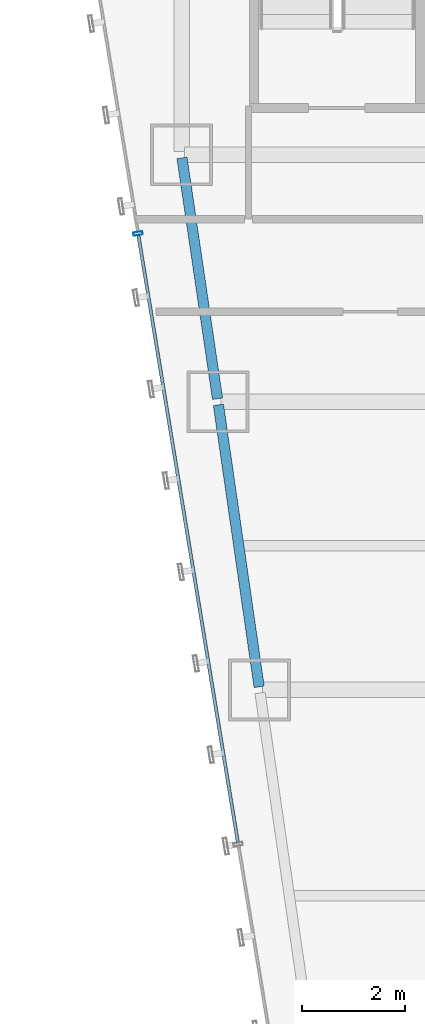
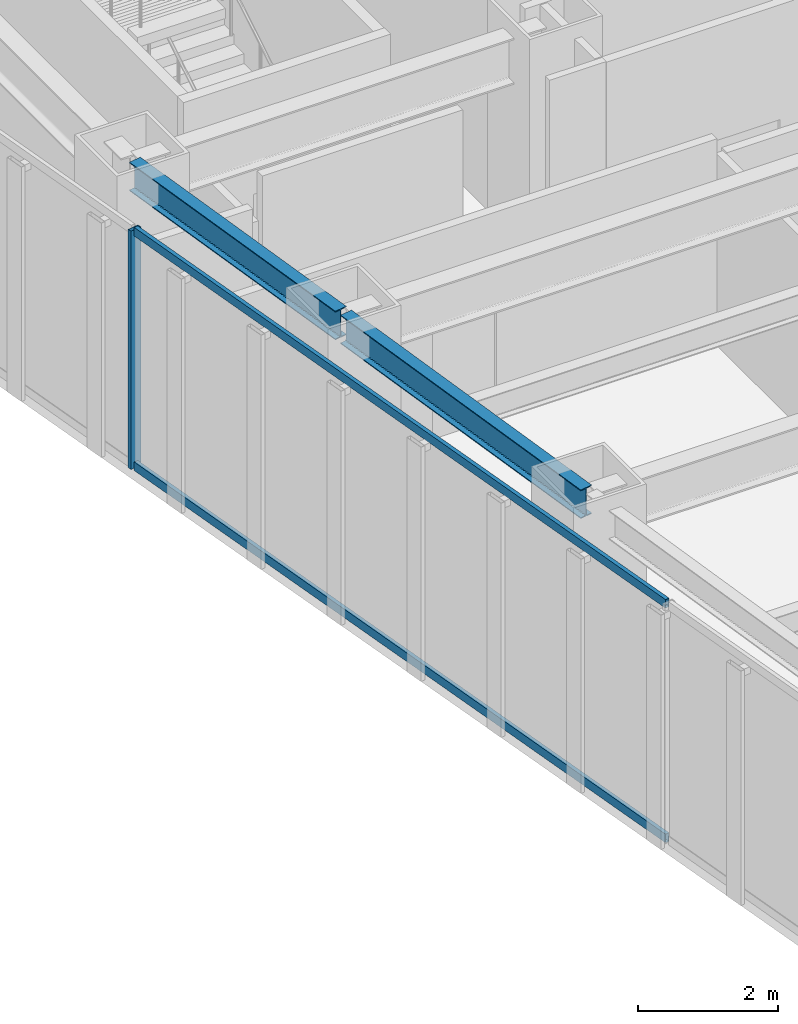
# One storey, part 22 of 47: 3 members, 2 beams, 1 element without a shape of its own.
"""IFC4 building model written with IfcOpenShell, lengths in metres."""

from ifc_helpers import new_model, si_unit, direction, frame, origin, origin_2d, place, context, subcontext, project, spatial, hollow_rectangle, i_section, extrude, material, material_profile, profile_set, type_object, element, aggregate, save


model = new_model("IFC4")

# Units and contexts
model_context = context("Model", 3, precision=1e-05, world=origin(), true_north=direction((0.0, 1.0)))
body_context = subcontext(model_context, "Body", "Model", "MODEL_VIEW")
ifc_project = project(units=[si_unit("LENGTHUNIT", "METRE"), si_unit("AREAUNIT", "SQUARE_METRE"), si_unit("VOLUMEUNIT", "CUBIC_METRE"), si_unit("PLANEANGLEUNIT", "RADIAN"), si_unit("MASSUNIT", "GRAM", prefix="KILO")], contexts=[model_context])

# Site, building, storey
site_placement = place(None, origin())
site = spatial("IfcSite", under=ifc_project, at=site_placement, CompositionType="ELEMENT")
building_placement = place(site_placement, origin())
building = spatial("IfcBuilding", under=site, at=building_placement, Name="Saevonmaru Cultural Tower", CompositionType="ELEMENT")
storey_placement = place(building_placement, frame((0.0, 0.0, 60.39990234375)))
storey = spatial("IfcBuildingStorey", under=building, at=storey_placement, Name="L12", CompositionType="ELEMENT", Elevation=60.39990234375)

# Beams
ifc_material_1 = material(Name="Steel SM355", Category="steel")
ifc_material_profile_1 = material_profile(ifc_material_1, i_section(OverallWidth=0.199951171875, OverallDepth=0.5, WebThickness=0.010009765625, FlangeThickness=0.01611328125, FilletRadius=0.02001953125, at=origin_2d()), Name="H-500x200x10x16")
ifc_profile_set_1 = profile_set([ifc_material_profile_1], Name="Steel SM355")
beam_type = type_object("IfcBeamType", Name="BM-SP-H500", PredefinedType="SPANDREL", material=ifc_profile_set_1)
beam_1_placement = place(storey_placement, frame((8.308349609375, 32.059326171875, 3.900146484375), z_axis=(-0.142964121327, 0.989727871697, 0.0), x_axis=(-0.989727871697, -0.142964121327, 0.0)))
element("IfcBeam", 1, at=beam_1_placement, inside=storey, type_object=beam_type, Name="L12 West Splayed Spandrel 5", PredefinedType="SPANDREL", context=body_context, shape_type="SweptSolid", body=[
    extrude(i_section(OverallWidth=0.199951171875, OverallDepth=0.5, WebThickness=0.010009765625, FlangeThickness=0.01611328125, FilletRadius=0.02001953125, at=origin_2d()), origin(), (0.0, 0.0, 1.0), 5.5380859375),
])
beam_2_placement = place(storey_placement, frame((7.499267578125, 37.659423828125, 3.900146484375), z_axis=(-0.145912860028, 0.989297446312, 0.0), x_axis=(-0.989297446312, -0.145912860028, 0.0)))
element("IfcBeam", 2, at=beam_2_placement, inside=storey, type_object=beam_type, Name="L12 West Splayed Spandrel 6", PredefinedType="SPANDREL", context=body_context, shape_type="SweptSolid", body=[
    extrude(i_section(OverallWidth=0.199951171875, OverallDepth=0.5, WebThickness=0.010009765625, FlangeThickness=0.01611328125, FilletRadius=0.02001953125, at=origin_2d()), origin(), (0.0, 0.0, 1.0), 4.731689453125),
])

# Curtain wall, members
ifc_material_2 = material(Name="Satin Bronze Anodised Aluminium", Category="aluminium")
curtain_wall_type = type_object("IfcCurtainWallType", Name="CW-TYP-A", PredefinedType="NOTDEFINED", material=ifc_material_2)
curtain_wall_placement = place(storey_placement, origin())
curtain_wall = element("IfcCurtainWall", 3, at=curtain_wall_placement, inside=storey, type_object=curtain_wall_type, Name="L12 Unitised Curtain Wall E12", PredefinedType="NOTDEFINED")
ifc_material_profile_2 = material_profile(ifc_material_2, hollow_rectangle(XDim=0.06494140625, YDim=0.179931640625, WallThickness=0.00390625, at=origin_2d()), Name="ALU-MULL-180x65x4")
ifc_profile_set_2 = profile_set([ifc_material_profile_2], Name="Satin Bronze Anodised Aluminium")
member_type_1 = type_object("IfcMemberType", Name="ML-CW-180x65", PredefinedType="MULLION", material=ifc_profile_set_2)
member_1_placement = place(storey_placement, frame((5.954833984375, 40.870361328125, 0.0), z_axis=(0.0, 0.0, 1.0), x_axis=(0.161708868641, -0.986838508472, 0.0)))
member_1 = element("IfcMember", 4, at=member_1_placement, type_object=member_type_1, Name="CW-TW-L12-E12 mullion 2", PredefinedType="MULLION", context=body_context, shape_type="SweptSolid", body=[
    extrude(hollow_rectangle(XDim=0.06494140625, YDim=0.179931640625, WallThickness=0.00390625, at=origin_2d()), origin(), (0.0, 0.0, 1.0), 4.150146484375),
])
ifc_material_profile_3 = material_profile(ifc_material_2, hollow_rectangle(XDim=0.06494140625, YDim=0.14990234375, WallThickness=0.00390625, at=origin_2d()), Name="ALU-TRAN-150x65x4")
ifc_profile_set_3 = profile_set([ifc_material_profile_3], Name="Satin Bronze Anodised Aluminium")
member_type_2 = type_object("IfcMemberType", Name="TR-CW-150x65", PredefinedType="USERDEFINED", material=ifc_profile_set_3)
member_2_placement = place(storey_placement, frame((5.960205078125, 40.83837890625, 0.03271484375), z_axis=(0.161701400727, -0.986839732177, 0.0), x_axis=(0.986839732177, 0.161701400727, 0.0)))
member_2 = element("IfcMember", 5, at=member_2_placement, type_object=member_type_2, Name="CW-TW-L12-E12 transom 2.1", ObjectType="TRANSOM", PredefinedType="USERDEFINED", context=body_context, shape_type="SweptSolid", body=[
    extrude(hollow_rectangle(XDim=0.06494140625, YDim=0.14990234375, WallThickness=0.00390625, at=origin_2d()), origin(), (0.0, 0.0, 1.0), 11.9638671875),
])
member_3_placement = place(storey_placement, frame((5.960205078125, 40.83837890625, 4.11767578125), z_axis=(0.161701400727, -0.986839732177, 0.0), x_axis=(0.986839732177, 0.161701400727, 0.0)))
member_3 = element("IfcMember", 6, at=member_3_placement, type_object=member_type_2, Name="CW-TW-L12-E12 transom 2.2", ObjectType="TRANSOM", PredefinedType="USERDEFINED", context=body_context, shape_type="SweptSolid", body=[
    extrude(hollow_rectangle(XDim=0.06494140625, YDim=0.14990234375, WallThickness=0.00390625, at=origin_2d()), origin(), (0.0, 0.0, 1.0), 11.9638671875),
])
aggregate(curtain_wall, [member_1, member_2, member_3])

save(model, "model.ifc")
